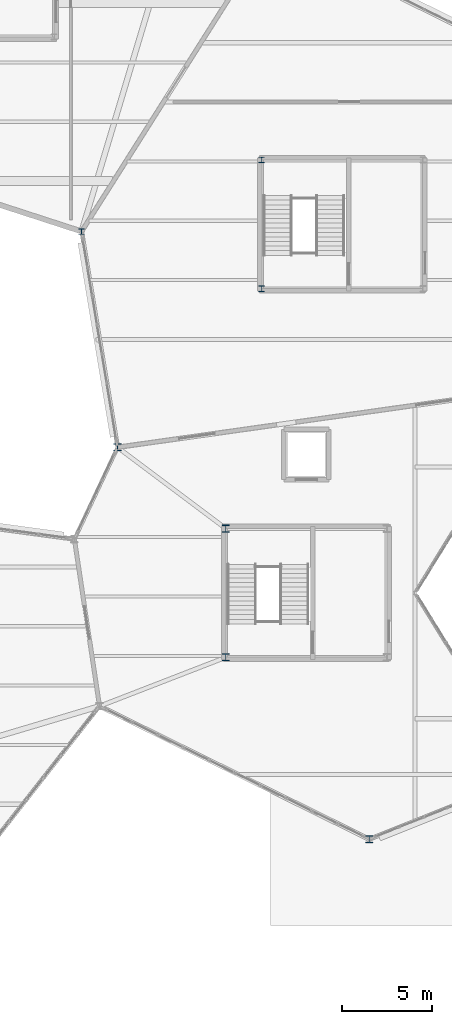
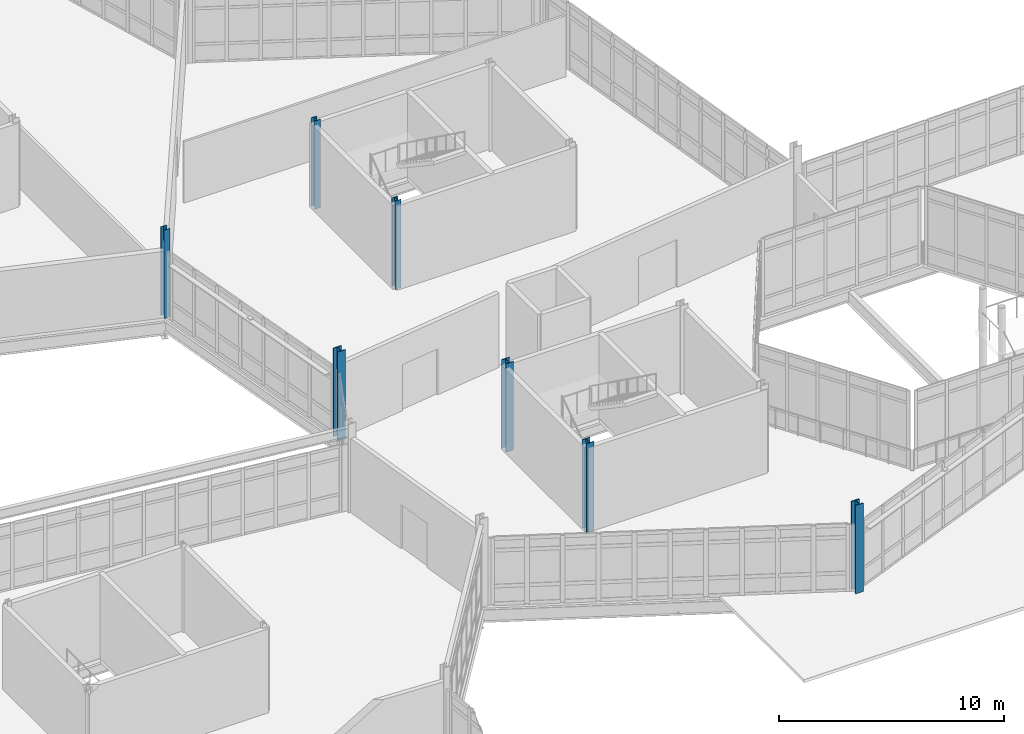
# One storey, part 8 of 134: 7 columns.
"""IFC4 building model written with IfcOpenShell, lengths in metres."""

from ifc_helpers import new_model, si_unit, direction, frame, origin, origin_2d, place, context, subcontext, project, spatial, i_section, extrude, material, material_profile, profile_set, type_object, element, save


model = new_model("IFC4")

# Units and contexts
model_context = context("Model", 3, precision=1e-05, world=origin(), true_north=direction((0.0, 1.0)))
body_context = subcontext(model_context, "Body", "Model", "MODEL_VIEW")
ifc_project = project(units=[si_unit("LENGTHUNIT", "METRE"), si_unit("AREAUNIT", "SQUARE_METRE"), si_unit("VOLUMEUNIT", "CUBIC_METRE"), si_unit("PLANEANGLEUNIT", "RADIAN"), si_unit("MASSUNIT", "GRAM", prefix="KILO")], contexts=[model_context])

# Site, building, storey
site_placement = place(None, origin())
site = spatial("IfcSite", under=ifc_project, at=site_placement, CompositionType="ELEMENT")
building_placement = place(site_placement, origin())
building = spatial("IfcBuilding", under=site, at=building_placement, Name="Tameran Prism Museum", CompositionType="ELEMENT")
storey_placement = place(building_placement, frame((0.0, 0.0, 5.39990234375)))
storey = spatial("IfcBuildingStorey", under=building, at=storey_placement, Name="L01", CompositionType="ELEMENT", Elevation=5.39990234375)

# Columns
ifc_material_1 = material(Name="Steel Grade 300PLUS (300 MPa)", Category="steel")
ifc_material_profile_1 = material_profile(ifc_material_1, i_section(OverallWidth=0.306884765625, OverallDepth=0.31494140625, WebThickness=0.011962890625, FlangeThickness=0.018798828125, FilletRadius=0.0166015625, at=origin_2d()))
ifc_profile_set_1 = profile_set([ifc_material_profile_1])
column_type_1 = type_object("IfcColumnType", Name="COL-UC310C", PredefinedType="COLUMN", material=ifc_profile_set_1)
for number, where, z_axis, x_axis, name in (
    (1, (50.0, 56.60009765625, 0.0), (0.0, 0.0, 1.0), (1.0, 0.0, 0.0), "Column CV-26 L01"),
    (2, (60.02001953125, 53.419921875, 0.0), (0.0, 0.0, 1.0), (1.0, 0.0, 0.0), "Column CC-8-1 L01"),
    (3, (60.02001953125, 60.580078125, 0.0), (0.0, 0.0, 1.0), (1.0, 0.0, 0.0), "Column CC-8-4 L01"),
):
    element("IfcColumn", number, at=place(storey_placement, frame(where, z_axis=z_axis, x_axis=x_axis)), inside=storey, type_object=column_type_1, Name=name, PredefinedType="COLUMN", context=body_context, shape_type="SweptSolid", body=[
        extrude(i_section(OverallWidth=0.306884765625, OverallDepth=0.31494140625, WebThickness=0.011962890625, FlangeThickness=0.018798828125, FilletRadius=0.0166015625, at=origin_2d()), origin(), (0.0, 0.0, 1.0), 4.800048828125),
    ])
ifc_material_2 = material(Name="Steel Grade 350 (350 MPa)", Category="steel")
ifc_material_profile_2 = material_profile(ifc_material_2, i_section(OverallWidth=0.39990234375, OverallDepth=0.39990234375, WebThickness=0.02197265625, FlangeThickness=0.035888671875, at=origin_2d()))
ifc_profile_set_2 = profile_set([ifc_material_profile_2])
column_type_2 = type_object("IfcColumnType", Name="COL-WC400", PredefinedType="COLUMN", material=ifc_profile_set_2)
for number, where, z_axis, x_axis, name in (
    (4, (52.0, 44.60009765625, 0.0), (0.0, 0.0, 1.0), (1.0, 0.0, 0.0), "Column CV-28 L01"),
    (5, (66.0, 22.800048828125, 0.0), (0.0, 0.0, 1.0), (1.0, 0.0, 0.0), "Column CV-32 L01"),
    (6, (58.02001953125, 32.919921875, 0.0), (0.0, 0.0, 1.0), (1.0, 0.0, 0.0), "Column CC-3-1 L01"),
    (7, (58.02001953125, 40.080078125, 0.0), (0.0, 0.0, 1.0), (1.0, 0.0, 0.0), "Column CC-3-4 L01"),
):
    element("IfcColumn", number, at=place(storey_placement, frame(where, z_axis=z_axis, x_axis=x_axis)), inside=storey, type_object=column_type_2, Name=name, PredefinedType="COLUMN", context=body_context, shape_type="SweptSolid", body=[
        extrude(i_section(OverallWidth=0.39990234375, OverallDepth=0.39990234375, WebThickness=0.02197265625, FlangeThickness=0.035888671875, at=origin_2d()), origin(), (0.0, 0.0, 1.0), 4.800048828125),
    ])

save(model, "model.ifc")
